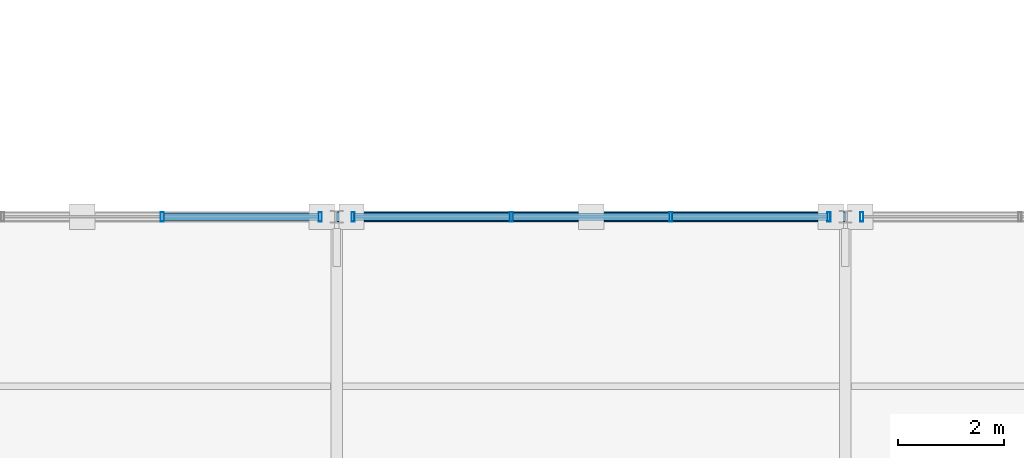
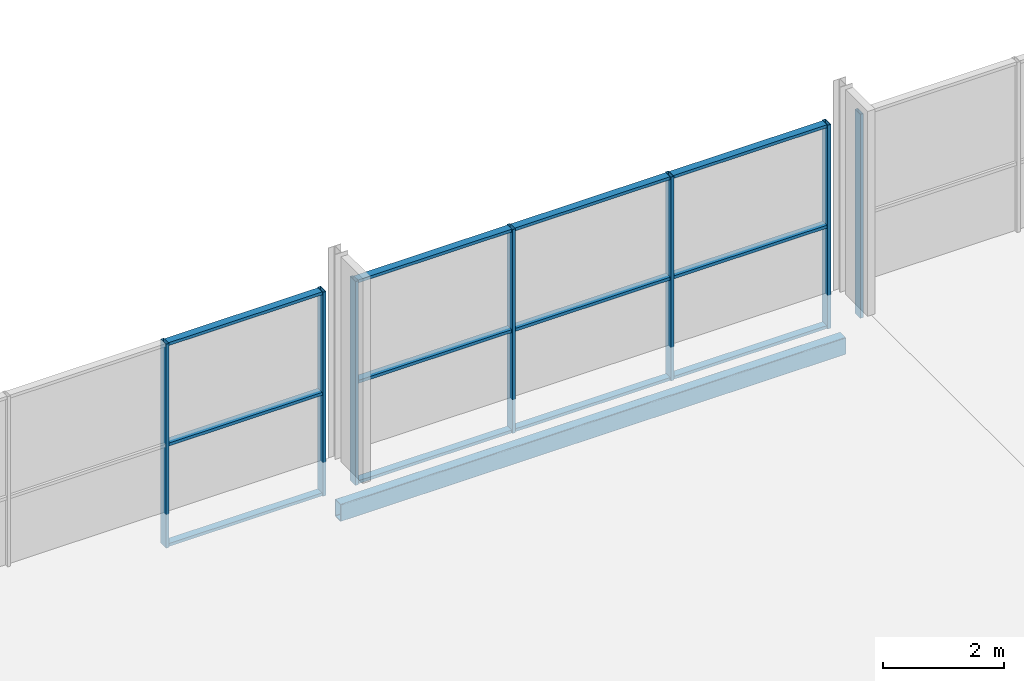
# One storey, part 26 of 159: 19 members, 1 beam, 3 elements without a shape of their own.
"""IFC4 building model written with IfcOpenShell, lengths in metres."""

from ifc_helpers import new_model, si_unit, direction, frame, origin, origin_2d, place, context, subcontext, project, spatial, hollow_rectangle, extrude, material, material_profile, profile_set, type_object, element, aggregate, save


model = new_model("IFC4")

# Units and contexts
model_context = context("Model", 3, precision=1e-05, world=origin(), true_north=direction((0.0, 1.0)))
body_context = subcontext(model_context, "Body", "Model", "MODEL_VIEW")
ifc_project = project(units=[si_unit("LENGTHUNIT", "METRE"), si_unit("AREAUNIT", "SQUARE_METRE"), si_unit("VOLUMEUNIT", "CUBIC_METRE"), si_unit("PLANEANGLEUNIT", "RADIAN"), si_unit("MASSUNIT", "GRAM", prefix="KILO")], contexts=[model_context])

# Site, building, storey
site_placement = place(None, origin())
site = spatial("IfcSite", under=ifc_project, at=site_placement, CompositionType="ELEMENT")
building_placement = place(site_placement, origin())
building = spatial("IfcBuilding", under=site, at=building_placement, Name="Merenkruunu Market Hall", CompositionType="ELEMENT")
storey_placement = place(building_placement, frame((0.0, 0.0, 5.39990234375)))
storey = spatial("IfcBuildingStorey", under=building, at=storey_placement, Name="L01", CompositionType="ELEMENT", Elevation=5.39990234375)

# Curtain wall, members
ifc_material_1 = material(Name="Powder-coated aluminium", Category="aluminium")
curtain_wall_type = type_object("IfcCurtainWallType", Name="Glazed Curtain Wall CW09", PredefinedType="USERDEFINED", material=ifc_material_1)
curtain_wall_1_placement = place(storey_placement, origin())
curtain_wall_1 = element("IfcCurtainWall", 1, at=curtain_wall_1_placement, inside=storey, type_object=curtain_wall_type, Name="CW-L01-CWM02-023", ObjectType="GLAZED_FACADE", PredefinedType="USERDEFINED")
ifc_material_profile_1 = material_profile(ifc_material_1, hollow_rectangle(XDim=0.06005859375, YDim=0.179931640625, WallThickness=0.00390625, at=origin_2d()), Name="ALU 60x180x4")
ifc_profile_set_1 = profile_set([ifc_material_profile_1], Name="Powder-coated aluminium")
member_type_1 = type_object("IfcMemberType", Name="Curtain Wall Mullion CWM02", PredefinedType="MULLION", material=ifc_profile_set_1)
member_1_placement = place(storey_placement, frame((18.889892578125, 15.60009765625, 0.0), z_axis=(0.0, 0.0, 1.0), x_axis=(-1.0, 0.0, 0.0)))
member_1 = element("IfcMember", 2, at=member_1_placement, type_object=member_type_1, Name="CW09 mullion 1", PredefinedType="MULLION", context=body_context, shape_type="SweptSolid", body=[
    extrude(hollow_rectangle(XDim=0.06005859375, YDim=0.179931640625, WallThickness=0.00390625, at=origin_2d()), origin(), (0.0, 0.0, 1.0), 4.10009765625),
])
member_2_placement = place(storey_placement, frame((15.90673828125, 15.60009765625, 0.0), z_axis=(0.0, 0.0, 1.0), x_axis=(-1.0, 0.0, 0.0)))
member_2 = element("IfcMember", 3, at=member_2_placement, type_object=member_type_1, Name="CW09 mullion 2", PredefinedType="MULLION", context=body_context, shape_type="SweptSolid", body=[
    extrude(hollow_rectangle(XDim=0.06005859375, YDim=0.179931640625, WallThickness=0.00390625, at=origin_2d()), origin(), (0.0, 0.0, 1.0), 4.10009765625),
])

curtain_wall_2_placement = place(storey_placement, origin())
curtain_wall_2 = element("IfcCurtainWall", 4, at=curtain_wall_2_placement, inside=storey, type_object=curtain_wall_type, Name="CW-L01-CWM02-026", ObjectType="GLAZED_FACADE", PredefinedType="USERDEFINED")
member_3_placement = place(storey_placement, frame((28.489990234375, 15.60009765625, 0.0), z_axis=(0.0, 0.0, 1.0), x_axis=(-1.0, 0.0, 0.0)))
member_3 = element("IfcMember", 5, at=member_3_placement, type_object=member_type_1, Name="CW09 mullion 1", PredefinedType="MULLION", context=body_context, shape_type="SweptSolid", body=[
    extrude(hollow_rectangle(XDim=0.06005859375, YDim=0.179931640625, WallThickness=0.00390625, at=origin_2d()), origin(), (0.0, 0.0, 1.0), 4.10009765625),
])
member_4_placement = place(storey_placement, frame((25.506591796875, 15.60009765625, 0.0), z_axis=(0.0, 0.0, 1.0), x_axis=(-1.0, 0.0, 0.0)))
member_4 = element("IfcMember", 6, at=member_4_placement, type_object=member_type_1, Name="CW09 mullion 2", PredefinedType="MULLION", context=body_context, shape_type="SweptSolid", body=[
    extrude(hollow_rectangle(XDim=0.06005859375, YDim=0.179931640625, WallThickness=0.00390625, at=origin_2d()), origin(), (0.0, 0.0, 1.0), 4.10009765625),
])
member_5_placement = place(storey_placement, frame((22.493408203125, 15.60009765625, 0.0), z_axis=(0.0, 0.0, 1.0), x_axis=(-1.0, 0.0, 0.0)))
member_5 = element("IfcMember", 7, at=member_5_placement, type_object=member_type_1, Name="CW09 mullion 3", PredefinedType="MULLION", context=body_context, shape_type="SweptSolid", body=[
    extrude(hollow_rectangle(XDim=0.06005859375, YDim=0.179931640625, WallThickness=0.00390625, at=origin_2d()), origin(), (0.0, 0.0, 1.0), 4.10009765625),
])
member_6_placement = place(storey_placement, frame((19.510009765625, 15.60009765625, 0.0), z_axis=(0.0, 0.0, 1.0), x_axis=(-1.0, 0.0, 0.0)))
member_6 = element("IfcMember", 8, at=member_6_placement, type_object=member_type_1, Name="CW09 mullion 4", PredefinedType="MULLION", context=body_context, shape_type="SweptSolid", body=[
    extrude(hollow_rectangle(XDim=0.06005859375, YDim=0.179931640625, WallThickness=0.00390625, at=origin_2d()), origin(), (0.0, 0.0, 1.0), 4.10009765625),
])

# Curtain wall, member
curtain_wall_3_placement = place(storey_placement, origin())
curtain_wall_3 = element("IfcCurtainWall", 9, at=curtain_wall_3_placement, inside=storey, type_object=curtain_wall_type, Name="CW-L01-CWM02-029", ObjectType="GLAZED_FACADE", PredefinedType="USERDEFINED")
member_7_placement = place(storey_placement, frame((29.110107421875, 15.60009765625, 0.0), z_axis=(0.0, 0.0, 1.0), x_axis=(-1.0, 0.0, 0.0)))
member_7 = element("IfcMember", 10, at=member_7_placement, type_object=member_type_1, Name="CW09 mullion 4", PredefinedType="MULLION", context=body_context, shape_type="SweptSolid", body=[
    extrude(hollow_rectangle(XDim=0.06005859375, YDim=0.179931640625, WallThickness=0.00390625, at=origin_2d()), origin(), (0.0, 0.0, 1.0), 4.10009765625),
])
aggregate(curtain_wall_3, [member_7])

# Member
ifc_material_profile_2 = material_profile(ifc_material_1, hollow_rectangle(XDim=0.06005859375, YDim=0.139892578125, WallThickness=0.00390625, at=origin_2d()), Name="ALU 60x140x4")
ifc_profile_set_2 = profile_set([ifc_material_profile_2], Name="Powder-coated aluminium")
member_type_2 = type_object("IfcMemberType", Name="Curtain Wall Transom CWT02", PredefinedType="USERDEFINED", material=ifc_profile_set_2)
member_8_placement = place(storey_placement, frame((18.860107421875, 15.60009765625, 0.030029296875), z_axis=(-1.0, 0.0, 0.0), x_axis=(0.0, 0.0, 1.0)))
member_8 = element("IfcMember", 11, at=member_8_placement, type_object=member_type_2, Name="CW09 transom 1.1", ObjectType="TRANSOM", PredefinedType="USERDEFINED", context=body_context, shape_type="SweptSolid", body=[
    extrude(hollow_rectangle(XDim=0.06005859375, YDim=0.139892578125, WallThickness=0.00390625, at=origin_2d()), origin(), (0.0, 0.0, 1.0), 2.92333984375),
])

member_9_placement = place(storey_placement, frame((18.860107421875, 15.60009765625, 2.050048828125), z_axis=(-1.0, 0.0, 0.0), x_axis=(0.0, 0.0, 1.0)))
member_9 = element("IfcMember", 12, at=member_9_placement, type_object=member_type_2, Name="CW09 transom 1.2", ObjectType="TRANSOM", PredefinedType="USERDEFINED", context=body_context, shape_type="SweptSolid", body=[
    extrude(hollow_rectangle(XDim=0.06005859375, YDim=0.139892578125, WallThickness=0.00390625, at=origin_2d()), origin(), (0.0, 0.0, 1.0), 2.92333984375),
])

member_10_placement = place(storey_placement, frame((18.860107421875, 15.60009765625, 4.070068359375), z_axis=(-1.0, 0.0, 0.0), x_axis=(0.0, 0.0, 1.0)))
member_10 = element("IfcMember", 13, at=member_10_placement, type_object=member_type_2, Name="CW09 transom 1.3", ObjectType="TRANSOM", PredefinedType="USERDEFINED", context=body_context, shape_type="SweptSolid", body=[
    extrude(hollow_rectangle(XDim=0.06005859375, YDim=0.139892578125, WallThickness=0.00390625, at=origin_2d()), origin(), (0.0, 0.0, 1.0), 2.92333984375),
])

aggregate(curtain_wall_1, [member_1, member_2, member_8, member_9, member_10])

member_11_placement = place(storey_placement, frame((28.4599609375, 15.60009765625, 0.030029296875), z_axis=(-1.0, 0.0, 0.0), x_axis=(0.0, 0.0, 1.0)))
member_11 = element("IfcMember", 14, at=member_11_placement, type_object=member_type_2, Name="CW09 transom 1.1", ObjectType="TRANSOM", PredefinedType="USERDEFINED", context=body_context, shape_type="SweptSolid", body=[
    extrude(hollow_rectangle(XDim=0.06005859375, YDim=0.139892578125, WallThickness=0.00390625, at=origin_2d()), origin(), (0.0, 0.0, 1.0), 2.92333984375),
])

member_12_placement = place(storey_placement, frame((28.4599609375, 15.60009765625, 2.050048828125), z_axis=(-1.0, 0.0, 0.0), x_axis=(0.0, 0.0, 1.0)))
member_12 = element("IfcMember", 15, at=member_12_placement, type_object=member_type_2, Name="CW09 transom 1.2", ObjectType="TRANSOM", PredefinedType="USERDEFINED", context=body_context, shape_type="SweptSolid", body=[
    extrude(hollow_rectangle(XDim=0.06005859375, YDim=0.139892578125, WallThickness=0.00390625, at=origin_2d()), origin(), (0.0, 0.0, 1.0), 2.92333984375),
])

member_13_placement = place(storey_placement, frame((28.4599609375, 15.60009765625, 4.070068359375), z_axis=(-1.0, 0.0, 0.0), x_axis=(0.0, 0.0, 1.0)))
member_13 = element("IfcMember", 16, at=member_13_placement, type_object=member_type_2, Name="CW09 transom 1.3", ObjectType="TRANSOM", PredefinedType="USERDEFINED", context=body_context, shape_type="SweptSolid", body=[
    extrude(hollow_rectangle(XDim=0.06005859375, YDim=0.139892578125, WallThickness=0.00390625, at=origin_2d()), origin(), (0.0, 0.0, 1.0), 2.92333984375),
])

member_14_placement = place(storey_placement, frame((25.4765625, 15.60009765625, 0.030029296875), z_axis=(-1.0, 0.0, 0.0), x_axis=(0.0, 0.0, 1.0)))
member_14 = element("IfcMember", 17, at=member_14_placement, type_object=member_type_2, Name="CW09 transom 2.1", ObjectType="TRANSOM", PredefinedType="USERDEFINED", context=body_context, shape_type="SweptSolid", body=[
    extrude(hollow_rectangle(XDim=0.06005859375, YDim=0.139892578125, WallThickness=0.00390625, at=origin_2d()), origin(), (0.0, 0.0, 1.0), 2.953125),
])

member_15_placement = place(storey_placement, frame((25.4765625, 15.60009765625, 2.050048828125), z_axis=(-1.0, 0.0, 0.0), x_axis=(0.0, 0.0, 1.0)))
member_15 = element("IfcMember", 18, at=member_15_placement, type_object=member_type_2, Name="CW09 transom 2.2", ObjectType="TRANSOM", PredefinedType="USERDEFINED", context=body_context, shape_type="SweptSolid", body=[
    extrude(hollow_rectangle(XDim=0.06005859375, YDim=0.139892578125, WallThickness=0.00390625, at=origin_2d()), origin(), (0.0, 0.0, 1.0), 2.953125),
])

member_16_placement = place(storey_placement, frame((25.4765625, 15.60009765625, 4.070068359375), z_axis=(-1.0, 0.0, 0.0), x_axis=(0.0, 0.0, 1.0)))
member_16 = element("IfcMember", 19, at=member_16_placement, type_object=member_type_2, Name="CW09 transom 2.3", ObjectType="TRANSOM", PredefinedType="USERDEFINED", context=body_context, shape_type="SweptSolid", body=[
    extrude(hollow_rectangle(XDim=0.06005859375, YDim=0.139892578125, WallThickness=0.00390625, at=origin_2d()), origin(), (0.0, 0.0, 1.0), 2.953125),
])

member_17_placement = place(storey_placement, frame((22.46337890625, 15.60009765625, 0.030029296875), z_axis=(-1.0, 0.0, 0.0), x_axis=(0.0, 0.0, 1.0)))
member_17 = element("IfcMember", 20, at=member_17_placement, type_object=member_type_2, Name="CW09 transom 3.1", ObjectType="TRANSOM", PredefinedType="USERDEFINED", context=body_context, shape_type="SweptSolid", body=[
    extrude(hollow_rectangle(XDim=0.06005859375, YDim=0.139892578125, WallThickness=0.00390625, at=origin_2d()), origin(), (0.0, 0.0, 1.0), 2.92333984375),
])

member_18_placement = place(storey_placement, frame((22.46337890625, 15.60009765625, 2.050048828125), z_axis=(-1.0, 0.0, 0.0), x_axis=(0.0, 0.0, 1.0)))
member_18 = element("IfcMember", 21, at=member_18_placement, type_object=member_type_2, Name="CW09 transom 3.2", ObjectType="TRANSOM", PredefinedType="USERDEFINED", context=body_context, shape_type="SweptSolid", body=[
    extrude(hollow_rectangle(XDim=0.06005859375, YDim=0.139892578125, WallThickness=0.00390625, at=origin_2d()), origin(), (0.0, 0.0, 1.0), 2.92333984375),
])

member_19_placement = place(storey_placement, frame((22.46337890625, 15.60009765625, 4.070068359375), z_axis=(-1.0, 0.0, 0.0), x_axis=(0.0, 0.0, 1.0)))
member_19 = element("IfcMember", 22, at=member_19_placement, type_object=member_type_2, Name="CW09 transom 3.3", ObjectType="TRANSOM", PredefinedType="USERDEFINED", context=body_context, shape_type="SweptSolid", body=[
    extrude(hollow_rectangle(XDim=0.06005859375, YDim=0.139892578125, WallThickness=0.00390625, at=origin_2d()), origin(), (0.0, 0.0, 1.0), 2.92333984375),
])

aggregate(curtain_wall_2, [member_3, member_4, member_5, member_6, member_11, member_12, member_13, member_14, member_15, member_16, member_17, member_18, member_19])

# Beam
ifc_material_2 = material(Name="Steel S355J2", Category="steel")
ifc_material_profile_3 = material_profile(ifc_material_2, hollow_rectangle(XDim=0.199951171875, YDim=0.35009765625, WallThickness=0.012451171875, InnerFilletRadius=0.012451171875, OuterFilletRadius=0.02490234375, at=origin_2d()), Name="RHS 350x200x12.5")
ifc_profile_set_3 = profile_set([ifc_material_profile_3], Name="Steel S355J2")
beam_type = type_object("IfcBeamType", Name="Perimeter Spandrel Beam SP02", PredefinedType="SPANDREL", material=ifc_profile_set_3)
beam_placement = place(storey_placement, frame((19.199951171875, 15.60009765625, -0.454833984375), z_axis=(1.0, 0.0, 0.0), x_axis=(0.0, 1.0, 0.0)))
element("IfcBeam", 23, at=beam_placement, inside=storey, type_object=beam_type, Name="BM-L01-SP02-1246", PredefinedType="SPANDREL", context=body_context, shape_type="SweptSolid", body=[
    extrude(hollow_rectangle(XDim=0.199951171875, YDim=0.35009765625, WallThickness=0.012451171875, InnerFilletRadius=0.012451171875, OuterFilletRadius=0.02490234375, at=origin_2d()), origin(), (0.0, 0.0, 1.0), 9.60009765625),
])

save(model, "model.ifc")
